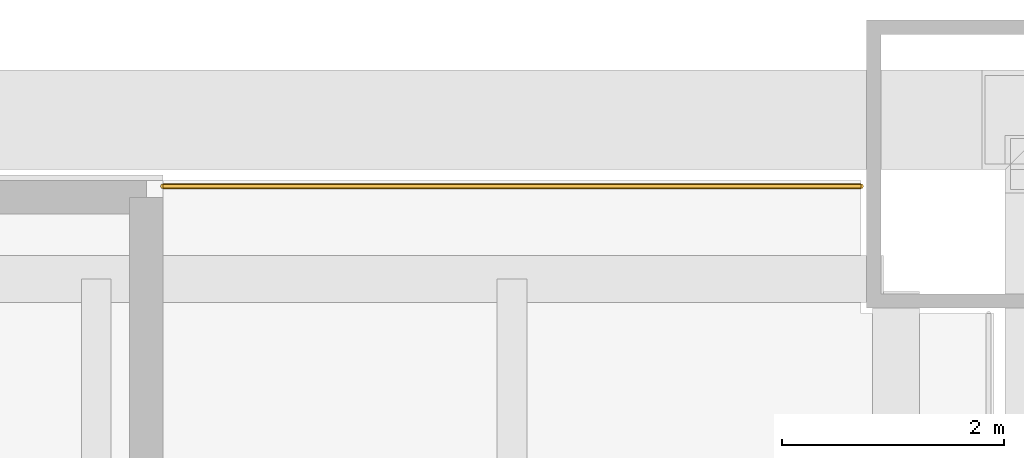
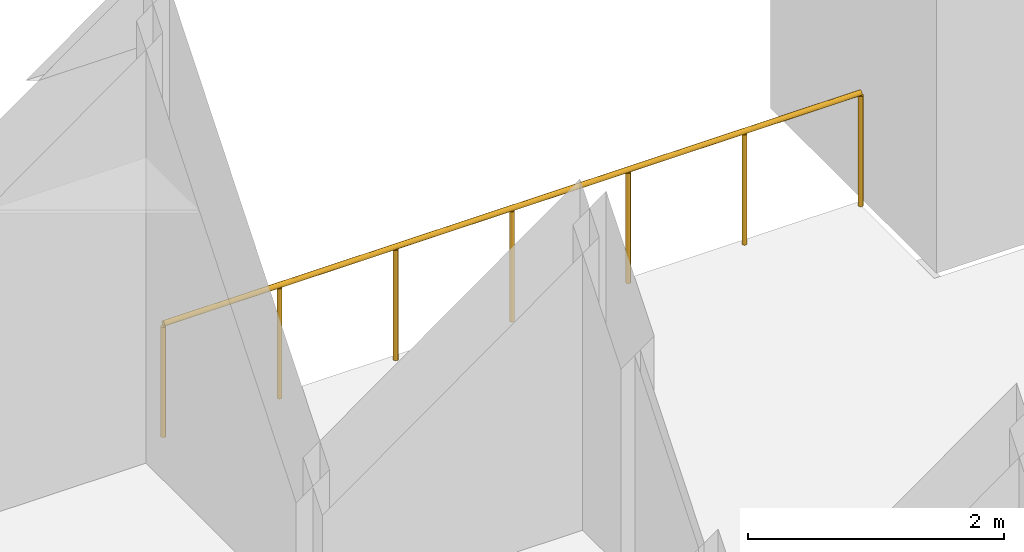
# One storey, part 7 of 7: 1 railing.
"""IFC4 building model written with IfcOpenShell, lengths in metres."""

from ifc_helpers import new_model, si_unit, direction, frame, origin, origin_2d, place, context, subcontext, project, spatial, circle, extrude, material, type_object, element, save


model = new_model("IFC4")

# Units and contexts
model_context = context("Model", 3, precision=1e-05, world=origin(), true_north=direction((0.0, 1.0)))
body_context = subcontext(model_context, "Body", "Model", "MODEL_VIEW")
ifc_project = project(units=[si_unit("LENGTHUNIT", "METRE"), si_unit("AREAUNIT", "SQUARE_METRE"), si_unit("VOLUMEUNIT", "CUBIC_METRE"), si_unit("PLANEANGLEUNIT", "RADIAN"), si_unit("MASSUNIT", "GRAM", prefix="KILO")], contexts=[model_context])

# Site, building, storey
site_placement = place(None, origin())
site = spatial("IfcSite", under=ifc_project, at=site_placement, CompositionType="ELEMENT")
building_placement = place(site_placement, origin())
building = spatial("IfcBuilding", under=site, at=building_placement, Name="Tarangal Relay Tower", CompositionType="ELEMENT")
storey_placement = place(building_placement, frame((0.0, 0.0, 153.89990234375)))
storey = spatial("IfcBuildingStorey", under=building, at=storey_placement, Name="L31", CompositionType="ELEMENT", Elevation=153.89990234375)

# Railing
ifc_material = material(Name="Black steel guard with glass infill", Category="steel")
railing_type = type_object("IfcRailingType", Name="Terrace guard 1100", PredefinedType="GUARDRAIL", material=ifc_material)
railing_placement = place(storey_placement, frame((16.35009765625, 23.800048828125, 0.0)))
element("IfcRailing", 1, at=railing_placement, inside=storey, type_object=railing_type, Name="Terrace guard GR2 NE L31", PredefinedType="GUARDRAIL", context=body_context, shape_type="SweptSolid", body=[
    extrude(circle(Radius=0.02392578125, at=origin_2d()), frame((0.0, 0.0, 1.076171875), z_axis=(1.0, 0.0, 0.0), x_axis=(0.0, 1.0, 0.0)), (0.0, 0.0, 1.0), 6.2998046875),
    extrude(circle(Radius=0.02099609375, at=origin_2d()), origin(), (0.0, 0.0, 1.0), 1.052001953125),
    extrude(circle(Radius=0.02099609375, at=origin_2d()), frame((1.050048828125, 0.0, 0.0)), (0.0, 0.0, 1.0), 1.052001953125),
    extrude(circle(Radius=0.02099609375, at=origin_2d()), frame((2.099853515625, 0.0, 0.0)), (0.0, 0.0, 1.0), 1.052001953125),
    extrude(circle(Radius=0.02099609375, at=origin_2d()), frame((3.14990234375, 0.0, 0.0)), (0.0, 0.0, 1.0), 1.052001953125),
    extrude(circle(Radius=0.02099609375, at=origin_2d()), frame((4.199951171875, 0.0, 0.0)), (0.0, 0.0, 1.0), 1.052001953125),
    extrude(circle(Radius=0.02099609375, at=origin_2d()), frame((5.249755859375, 0.0, 0.0)), (0.0, 0.0, 1.0), 1.052001953125),
    extrude(circle(Radius=0.02099609375, at=origin_2d()), frame((6.2998046875, 0.0, 0.0)), (0.0, 0.0, 1.0), 1.052001953125),
])

save(model, "model.ifc")
